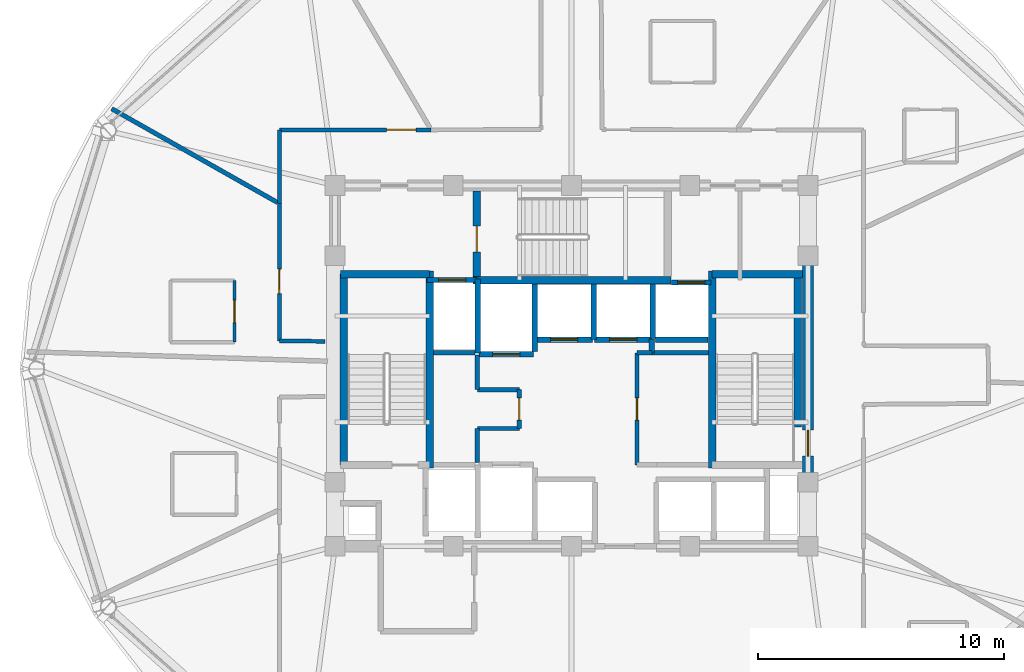
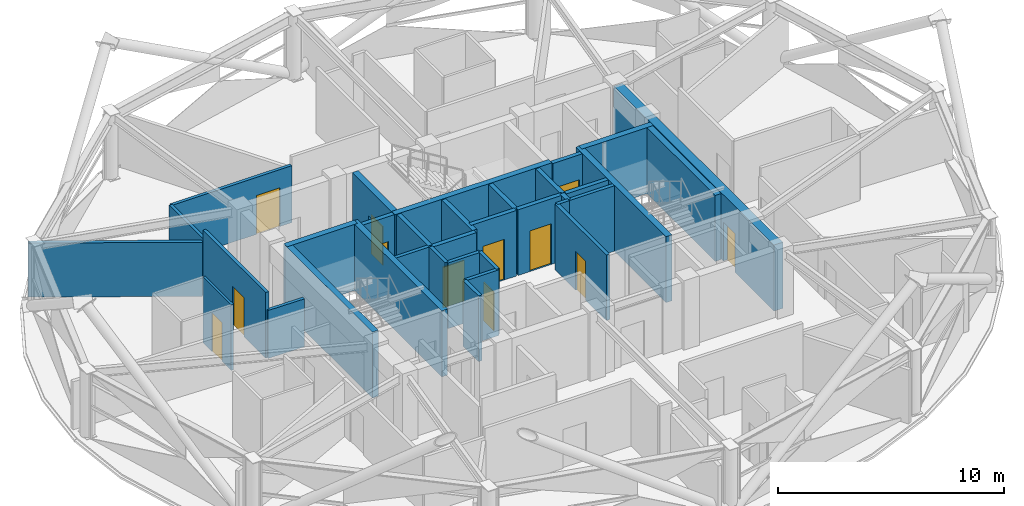
# One storey, part 23 of 29: 35 walls, 12 doors, 12 openings.
"""IFC4 building model written with IfcOpenShell, lengths in metres."""

from ifc_helpers import new_model, si_unit, direction, frame, frame_2d, origin, place, context, subcontext, project, spatial, rectangle, extrude, material, layer, layer_set, type_object, element, fill, save


model = new_model("IFC4")

# Units and contexts
model_context = context("Model", 3, precision=1e-05, world=origin(), true_north=direction((0.0, 1.0)))
body_context = subcontext(model_context, "Body", "Model", "MODEL_VIEW")
ifc_project = project(units=[si_unit("LENGTHUNIT", "METRE"), si_unit("AREAUNIT", "SQUARE_METRE"), si_unit("VOLUMEUNIT", "CUBIC_METRE"), si_unit("PLANEANGLEUNIT", "RADIAN"), si_unit("MASSUNIT", "GRAM", prefix="KILO")], contexts=[model_context])

# Site, building, storey
site_placement = place(None, origin())
site = spatial("IfcSite", under=ifc_project, at=site_placement, CompositionType="ELEMENT")
building_placement = place(site_placement, origin())
building = spatial("IfcBuilding", under=site, at=building_placement, Name="Vantalir Tower", CompositionType="ELEMENT")
storey_placement = place(building_placement, frame((0.0, 0.0, 234.89990234375)))
storey = spatial("IfcBuildingStorey", under=building, at=storey_placement, Name="L59", CompositionType="ELEMENT", Elevation=234.89990234375)

# Wall, opening, door
ifc_material_1 = material(Name="Moisture-resistant en-suite partition", Category="gypsum")
ifc_layer_1 = layer(ifc_material_1, 0.125)
ifc_layer_set_1 = layer_set([ifc_layer_1], Name="Moisture-resistant en-suite partition")
wall_type_1 = type_object("IfcWallType", Name="WL-BATH-125", PredefinedType="PARTITIONING", material=ifc_layer_set_1)
wall_1_placement = place(storey_placement, frame((17.818115234375, 26.0830078125, 0.0), z_axis=(0.0, 0.0, 1.0), x_axis=(0.0, 1.0, 0.0)))
wall_1 = element("IfcWall", 1, at=wall_1_placement, inside=storey, type_object=wall_type_1, Name="L59 En-suite 05 East Wall", PredefinedType="PARTITIONING", context=body_context, shape_type="SweptSolid", body=[
    extrude(rectangle(XDim=2.5, YDim=0.125, at=frame_2d((1.25, 0.0))), origin(), (0.0, 0.0, 1.0), 3.550048828125),
])
opening_1_placement = place(wall_1_placement, frame((0.800048828125, 0.0, 0.0)))
opening_1 = element("IfcOpeningElement", 2, at=opening_1_placement, cuts=wall_1, Name="Opening D-WC", PredefinedType="OPENING", context=body_context, shape_type="SweptSolid", body=[
    extrude(rectangle(XDim=0.89990234375, YDim=2.10009765625, at=frame_2d((0.449951171875, 1.050048828125))), frame((0.0, 0.072509765625, 0.0), z_axis=(0.0, -1.0, 0.0), x_axis=(1.0, 0.0, 0.0)), (0.0, 0.0, 1.0), 0.14501953125),
])
ifc_material_2 = material(Name="Moisture-resistant hardwood door", Category="wood")
door_type_1 = type_object("IfcDoorType", Name="DR-ENSUITE-900", OperationType="NOTDEFINED", PredefinedType="DOOR", material=ifc_material_2)
door_1_placement = place(opening_1_placement, origin())
door_1 = element("IfcDoor", 3, at=door_1_placement, inside=storey, type_object=door_type_1, Name="L59 En-suite 05 Door", OperationType="SINGLE_SWING_LEFT", OverallHeight=2.10009765625, OverallWidth=0.89990234375, PredefinedType="DOOR", context=body_context, shape_type="SweptSolid", body=[
    extrude(rectangle(XDim=0.89990234375, YDim=2.10009765625, at=frame_2d((0.449951171875, 1.050048828125))), frame((0.0, 0.02490234375, 0.0), z_axis=(0.0, -1.0, 0.0), x_axis=(1.0, 0.0, 0.0)), (0.0, 0.0, 1.0), 0.050048828125),
])
fill(opening_1, door_1)

ifc_material_3 = material(Name="Concrete C50/60", Category="concrete")
ifc_layer_2 = layer(ifc_material_3, 0.449951171875)
ifc_layer_set_2 = layer_set([ifc_layer_2], Name="Concrete C50/60")
wall_type_2 = type_object("IfcWallType", Name="WL-CORE-450", PredefinedType="SHEAR", material=ifc_layer_set_2)
wall_2_placement = place(storey_placement, frame((41.10009765625, 18.02490234375, 0.0), z_axis=(0.0, 0.0, 1.0), x_axis=(0.0, 1.0, 0.0)))
wall_2 = element("IfcWall", 4, at=wall_2_placement, inside=storey, type_object=wall_type_2, Name="L59 Core Shear Wall East", PredefinedType="SHEAR", context=body_context, shape_type="SweptSolid", body=[
    extrude(rectangle(XDim=14.2001953125, YDim=0.449951171875, at=frame_2d((7.10009765625, 0.0))), origin(), (0.0, 0.0, 1.0), 3.570068359375),
])
opening_2_placement = place(wall_2_placement, frame((3.43505859375, 0.0, 0.0)))
opening_2 = element("IfcOpeningElement", 5, at=opening_2_placement, cuts=wall_2, Name="Opening D-ST", PredefinedType="OPENING", context=body_context, shape_type="SweptSolid", body=[
    extrude(rectangle(XDim=1.050048828125, YDim=2.10009765625, at=frame_2d((0.52490234375, 1.050048828125))), frame((0.0, 0.23486328125, 0.0), z_axis=(0.0, -1.0, 0.0), x_axis=(1.0, 0.0, 0.0)), (0.0, 0.0, 1.0), 0.469970703125),
])
ifc_material_4 = material(Name="Fire-rated steel door leaf", Category="steel")
door_type_2 = type_object("IfcDoorType", Name="DR-FIRE-STAIR-1050", OperationType="NOTDEFINED", PredefinedType="DOOR", material=ifc_material_4)
door_2_placement = place(opening_2_placement, origin())
door_2 = element("IfcDoor", 6, at=door_2_placement, inside=storey, type_object=door_type_2, Name="L59 Exit Stair ST2 Fire Door", OperationType="SINGLE_SWING_LEFT", OverallHeight=2.10009765625, OverallWidth=1.050048828125, PredefinedType="DOOR", context=body_context, shape_type="SweptSolid", body=[
    extrude(rectangle(XDim=1.050048828125, YDim=2.10009765625, at=frame_2d((0.52490234375, 1.050048828125))), frame((0.0, 0.02490234375, 0.0), z_axis=(0.0, -1.0, 0.0), x_axis=(1.0, 0.0, 0.0)), (0.0, 0.0, 1.0), 0.050048828125),
])
fill(opening_2, door_2)

# Wall
ifc_material_5 = material(Name="Fire-rated hotel corridor acoustic partition", Category="gypsum")
ifc_layer_3 = layer(ifc_material_5, 0.159912109375)
ifc_layer_set_3 = layer_set([ifc_layer_3], Name="Fire-rated hotel corridor acoustic partition")
wall_type_3 = type_object("IfcWallType", Name="WL-CORR-160", PredefinedType="PARTITIONING", material=ifc_layer_set_3)
wall_3_placement = place(storey_placement, frame((21.4951171875, 26.116943359375, 0.0), z_axis=(0.0, 0.0, 1.0), x_axis=(-0.999908537082, 0.013524698532, 0.0)))
element("IfcWall", 7, at=wall_3_placement, inside=storey, type_object=wall_type_3, Name="L59 Corridor Partition 01", PredefinedType="PARTITIONING", context=body_context, shape_type="SweptSolid", body=[
    extrude(rectangle(XDim=1.859375, YDim=0.159912109375, at=frame_2d((0.9296875, 0.0))), origin(), (0.0, 0.0, 1.0), 2.59521484375),
])

# Wall, opening, door
wall_4_placement = place(storey_placement, frame((19.635986328125, 26.14208984375, 0.0), z_axis=(0.0, 0.0, 1.0), x_axis=(0.000920648448, 0.999999576203, 0.0)))
wall_4 = element("IfcWall", 8, at=wall_4_placement, inside=storey, type_object=wall_type_3, Name="L59 Corridor Partition 02", PredefinedType="PARTITIONING", context=body_context, shape_type="SweptSolid", body=[
    extrude(rectangle(XDim=5.56884765625, YDim=0.159912109375, at=frame_2d((2.784423828125, 0.0))), origin(), (0.0, 0.0, 1.0), 3.550048828125),
])
opening_3_placement = place(wall_4_placement, frame((1.91796875, 0.0, 0.0)))
opening_3 = element("IfcOpeningElement", 9, at=opening_3_placement, cuts=wall_4, Name="Opening D-GUEST", PredefinedType="OPENING", context=body_context, shape_type="SweptSolid", body=[
    extrude(rectangle(XDim=1.0, YDim=2.10009765625, at=frame_2d((0.5, 1.050048828125))), frame((0.0, 0.08984375, 0.0), z_axis=(0.0, -1.0, 0.0), x_axis=(1.0, 0.0, 0.0)), (0.0, 0.0, 1.0), 0.179931640625),
])
ifc_material_6 = material(Name="Solid-core teak veneer acoustic fire door", Category="wood")
door_type_3 = type_object("IfcDoorType", Name="DR-GUEST-ENTRY-1000", OperationType="NOTDEFINED", PredefinedType="DOOR", material=ifc_material_6)
door_3_placement = place(opening_3_placement, origin())
door_3 = element("IfcDoor", 10, at=door_3_placement, inside=storey, type_object=door_type_3, Name="L59 Twin Queen Hotel Room 05 Door", OperationType="SINGLE_SWING_LEFT", OverallHeight=2.10009765625, OverallWidth=1.0, PredefinedType="DOOR", context=body_context, shape_type="SweptSolid", body=[
    extrude(rectangle(XDim=1.0, YDim=2.10009765625, at=frame_2d((0.5, 1.050048828125))), frame((0.0, 0.02490234375, 0.0), z_axis=(0.0, -1.0, 0.0), x_axis=(1.0, 0.0, 0.0)), (0.0, 0.0, 1.0), 0.050048828125),
])
fill(opening_3, door_3)

# Wall
wall_5_placement = place(storey_placement, frame((19.64111328125, 31.7109375, 0.0), z_axis=(0.0, 0.0, 1.0), x_axis=(0.000980151453, 0.999999519651, 0.0)))
element("IfcWall", 11, at=wall_5_placement, inside=storey, type_object=wall_type_3, Name="L59 Corridor Partition 03", PredefinedType="PARTITIONING", context=body_context, shape_type="SweptSolid", body=[
    extrude(rectangle(XDim=2.989013671875, YDim=0.159912109375, at=frame_2d((1.49462890625, 0.0))), origin(), (0.0, 0.0, 1.0), 3.0810546875),
])

# Wall, opening, door
wall_6_placement = place(storey_placement, frame((19.64404296875, 34.699951171875, 0.0), z_axis=(0.0, 0.0, 1.0), x_axis=(0.999998923057, 0.001467611763, 0.0)))
wall_6 = element("IfcWall", 12, at=wall_6_placement, inside=storey, type_object=wall_type_3, Name="L59 Corridor Partition 04", PredefinedType="PARTITIONING", context=body_context, shape_type="SweptSolid", body=[
    extrude(rectangle(XDim=6.155029296875, YDim=0.159912109375, at=frame_2d((3.07763671875, 0.0))), origin(), (0.0, 0.0, 1.0), 3.0810546875),
])
opening_4_placement = place(wall_6_placement, frame((4.345947265625, 0.0, 0.0)))
opening_4 = element("IfcOpeningElement", 13, at=opening_4_placement, cuts=wall_6, Name="Opening D-STE", PredefinedType="OPENING", context=body_context, shape_type="SweptSolid", body=[
    extrude(rectangle(XDim=1.199951171875, YDim=2.10009765625, at=frame_2d((0.60009765625, 1.050048828125))), frame((0.0, 0.08984375, 0.0), z_axis=(0.0, -1.0, 0.0), x_axis=(1.0, 0.0, 0.0)), (0.0, 0.0, 1.0), 0.179931640625),
])
ifc_material_7 = material(Name="Solid-core teak veneer suite entrance door", Category="wood")
door_type_4 = type_object("IfcDoorType", Name="DR-SUITE-ENTRY-1200", OperationType="NOTDEFINED", PredefinedType="DOOR", material=ifc_material_7)
door_4_placement = place(opening_4_placement, origin())
door_4 = element("IfcDoor", 14, at=door_4_placement, inside=storey, type_object=door_type_4, Name="L59 Executive Sky Boardroom 04 Door", OperationType="SINGLE_SWING_RIGHT", OverallHeight=2.10009765625, OverallWidth=1.199951171875, PredefinedType="DOOR", context=body_context, shape_type="SweptSolid", body=[
    extrude(rectangle(XDim=1.199951171875, YDim=2.10009765625, at=frame_2d((0.60009765625, 1.050048828125))), frame((0.0, 0.02490234375, 0.0), z_axis=(0.0, -1.0, 0.0), x_axis=(1.0, 0.0, 0.0)), (0.0, 0.0, 1.0), 0.050048828125),
])
fill(opening_4, door_4)

# Walls
ifc_material_8 = material(Name="Concrete blockwork with fireboard lining", Category="masonry")
ifc_layer_4 = layer(ifc_material_8, 0.219970703125)
ifc_layer_set_4 = layer_set([ifc_layer_4], Name="Concrete blockwork with fireboard lining")
wall_type_4 = type_object("IfcWallType", Name="WL-FFL-220", PredefinedType="PARTITIONING", material=ifc_layer_set_4)
wall_7_placement = place(storey_placement, frame((30.0, 25.7099609375, 0.0), z_axis=(0.0, 0.0, 1.0), x_axis=(0.0, 1.0, 0.0)))
element("IfcWall", 15, at=wall_7_placement, inside=storey, type_object=wall_type_4, Name="L59 Service Lift SV2 East Shaft Wall", PredefinedType="PARTITIONING", context=body_context, shape_type="SweptSolid", body=[
    extrude(rectangle(XDim=2.72998046875, YDim=0.219970703125, at=frame_2d((1.364990234375, 0.0))), origin(), (0.0, 0.0, 1.0), 3.545166015625),
])
wall_8_placement = place(storey_placement, frame((32.39990234375, 26.199951171875, 0.0), z_axis=(0.0, 0.0, 1.0), x_axis=(0.0, 1.0, 0.0)))
element("IfcWall", 16, at=wall_8_placement, inside=storey, type_object=wall_type_4, Name="L59 High-Rise Lift PL-H1/H2 Shaft Divider", PredefinedType="PARTITIONING", context=body_context, shape_type="SweptSolid", body=[
    extrude(rectangle(XDim=2.239990234375, YDim=0.219970703125, at=frame_2d((1.1201171875, 0.0))), origin(), (0.0, 0.0, 1.0), 3.545166015625),
])
wall_9_placement = place(storey_placement, frame((34.800048828125, 26.22998046875, 0.0), z_axis=(0.0, 0.0, 1.0), x_axis=(0.0, 1.0, 0.0)))
element("IfcWall", 17, at=wall_9_placement, inside=storey, type_object=wall_type_4, Name="L59 High-Rise Lift PL-H2/H3 Shaft Divider", PredefinedType="PARTITIONING", context=body_context, shape_type="SweptSolid", body=[
    extrude(rectangle(XDim=2.2099609375, YDim=0.219970703125, at=frame_2d((1.10498046875, 0.0))), origin(), (0.0, 0.0, 1.0), 3.545166015625),
])
wall_10_placement = place(storey_placement, frame((34.909912109375, 26.18994140625, 0.0), z_axis=(0.0, 0.0, 1.0), x_axis=(1.0, 0.0, 0.0)))
element("IfcWall", 18, at=wall_10_placement, inside=storey, type_object=wall_type_4, Name="L59 High-Rise Lift PL-H3 Rear Shaft Wall", PredefinedType="PARTITIONING", context=body_context, shape_type="SweptSolid", body=[
    extrude(rectangle(XDim=2.14013671875, YDim=0.219970703125, at=frame_2d((1.070068359375, 0.0))), origin(), (0.0, 0.0, 1.0), 3.545166015625),
])

# Wall, opening, door
wall_11_placement = place(storey_placement, frame((25.639892578125, 28.610107421875, 0.0), z_axis=(0.0, 0.0, 1.0), x_axis=(1.0, 0.0, 0.0)))
wall_11 = element("IfcWall", 19, at=wall_11_placement, inside=storey, type_object=wall_type_4, Name="L59 Lift FL2 Shaft Front Wall", PredefinedType="PARTITIONING", context=body_context, shape_type="SweptSolid", body=[
    extrude(rectangle(XDim=2.02001953125, YDim=0.219970703125, at=frame_2d((1.010009765625, 0.0))), origin(), (0.0, 0.0, 1.0), 3.550048828125),
])
opening_5_placement = place(wall_11_placement, frame((0.4599609375, 0.0, 0.0)))
opening_5 = element("IfcOpeningElement", 20, at=opening_5_placement, cuts=wall_11, Name="Opening LD-FL2", PredefinedType="OPENING", context=body_context, shape_type="SweptSolid", body=[
    extrude(rectangle(XDim=1.10009765625, YDim=2.199951171875, at=frame_2d((0.550048828125, 1.10009765625))), frame((0.0, 0.119873046875, 0.0), z_axis=(0.0, -1.0, 0.0), x_axis=(1.0, 0.0, 0.0)), (0.0, 0.0, 1.0), 0.239990234375),
])
ifc_material_9 = material(Name="Brushed stainless-steel sliding lift landing door", Category="steel")
door_type_5 = type_object("IfcDoorType", Name="DR-LIFT-LANDING-1100", OperationType="DOUBLE_DOOR_SLIDING", PredefinedType="DOOR", material=ifc_material_9)
door_5_placement = place(opening_5_placement, origin())
door_5 = element("IfcDoor", 21, at=door_5_placement, inside=storey, type_object=door_type_5, Name="L59 Lift Landing Door FL2", OperationType="DOUBLE_DOOR_SLIDING", OverallHeight=2.199951171875, OverallWidth=1.10009765625, PredefinedType="DOOR", context=body_context, shape_type="SweptSolid", body=[
    extrude(rectangle(XDim=1.10009765625, YDim=2.199951171875, at=frame_2d((0.550048828125, 1.10009765625))), frame((0.0, 0.02490234375, 0.0), z_axis=(0.0, -1.0, 0.0), x_axis=(1.0, 0.0, 0.0)), (0.0, 0.0, 1.0), 0.050048828125),
])
fill(opening_5, door_5)

wall_12_placement = place(storey_placement, frame((27.739990234375, 25.590087890625, 0.0), z_axis=(0.0, 0.0, 1.0), x_axis=(1.0, 0.0, 0.0)))
wall_12 = element("IfcWall", 22, at=wall_12_placement, inside=storey, type_object=wall_type_4, Name="L59 Lift SV2 Shaft Front Wall", PredefinedType="PARTITIONING", context=body_context, shape_type="SweptSolid", body=[
    extrude(rectangle(XDim=2.219970703125, YDim=0.219970703125, at=frame_2d((1.10986328125, 0.0))), origin(), (0.0, 0.0, 1.0), 3.550048828125),
])
opening_6_placement = place(wall_12_placement, frame((0.56005859375, 0.0, 0.0)))
opening_6 = element("IfcOpeningElement", 23, at=opening_6_placement, cuts=wall_12, Name="Opening LD-SV2", PredefinedType="OPENING", context=body_context, shape_type="SweptSolid", body=[
    extrude(rectangle(XDim=1.10009765625, YDim=2.199951171875, at=frame_2d((0.550048828125, 1.10009765625))), frame((0.0, 0.119873046875, 0.0), z_axis=(0.0, -1.0, 0.0), x_axis=(1.0, 0.0, 0.0)), (0.0, 0.0, 1.0), 0.239990234375),
])
door_6_placement = place(opening_6_placement, frame((1.10009765625, 0.0, 0.0), z_axis=(0.0, 0.0, 1.0), x_axis=(-1.0, 0.0, 0.0)))
door_6 = element("IfcDoor", 24, at=door_6_placement, inside=storey, type_object=door_type_5, Name="L59 Lift Landing Door SV2", OperationType="DOUBLE_DOOR_SLIDING", OverallHeight=2.199951171875, OverallWidth=1.10009765625, PredefinedType="DOOR", context=body_context, shape_type="SweptSolid", body=[
    extrude(rectangle(XDim=1.10009765625, YDim=2.199951171875, at=frame_2d((0.550048828125, 1.10009765625))), frame((0.0, 0.02490234375, 0.0), z_axis=(0.0, -1.0, 0.0), x_axis=(1.0, 0.0, 0.0)), (0.0, 0.0, 1.0), 0.050048828125),
])
fill(opening_6, door_6)

wall_13_placement = place(storey_placement, frame((30.0400390625, 26.18994140625, 0.0), z_axis=(0.0, 0.0, 1.0), x_axis=(1.0, 0.0, 0.0)))
wall_13 = element("IfcWall", 25, at=wall_13_placement, inside=storey, type_object=wall_type_4, Name="L59 Lift PL-H1 Shaft Front Wall", PredefinedType="PARTITIONING", context=body_context, shape_type="SweptSolid", body=[
    extrude(rectangle(XDim=2.320068359375, YDim=0.219970703125, at=frame_2d((1.16015625, 0.0))), origin(), (0.0, 0.0, 1.0), 3.550048828125),
])
opening_7_placement = place(wall_13_placement, frame((0.610107421875, 0.0, 0.0)))
opening_7 = element("IfcOpeningElement", 26, at=opening_7_placement, cuts=wall_13, Name="Opening LD-PL-H1", PredefinedType="OPENING", context=body_context, shape_type="SweptSolid", body=[
    extrude(rectangle(XDim=1.10009765625, YDim=2.199951171875, at=frame_2d((0.550048828125, 1.10009765625))), frame((0.0, 0.119873046875, 0.0), z_axis=(0.0, -1.0, 0.0), x_axis=(1.0, 0.0, 0.0)), (0.0, 0.0, 1.0), 0.239990234375),
])
door_7_placement = place(opening_7_placement, frame((1.10009765625, 0.0, 0.0), z_axis=(0.0, 0.0, 1.0), x_axis=(-1.0, 0.0, 0.0)))
door_7 = element("IfcDoor", 27, at=door_7_placement, inside=storey, type_object=door_type_5, Name="L59 Lift Landing Door PL-H1", OperationType="DOUBLE_DOOR_SLIDING", OverallHeight=2.199951171875, OverallWidth=1.10009765625, PredefinedType="DOOR", context=body_context, shape_type="SweptSolid", body=[
    extrude(rectangle(XDim=1.10009765625, YDim=2.199951171875, at=frame_2d((0.550048828125, 1.10009765625))), frame((0.0, 0.02490234375, 0.0), z_axis=(0.0, -1.0, 0.0), x_axis=(1.0, 0.0, 0.0)), (0.0, 0.0, 1.0), 0.050048828125),
])
fill(opening_7, door_7)

wall_14_placement = place(storey_placement, frame((32.43994140625, 26.18994140625, 0.0), z_axis=(0.0, 0.0, 1.0), x_axis=(1.0, 0.0, 0.0)))
wall_14 = element("IfcWall", 28, at=wall_14_placement, inside=storey, type_object=wall_type_4, Name="L59 Lift PL-H2 Shaft Front Wall", PredefinedType="PARTITIONING", context=body_context, shape_type="SweptSolid", body=[
    extrude(rectangle(XDim=2.320068359375, YDim=0.219970703125, at=frame_2d((1.16015625, 0.0))), origin(), (0.0, 0.0, 1.0), 3.550048828125),
])
opening_8_placement = place(wall_14_placement, frame((0.610107421875, 0.0, 0.0)))
opening_8 = element("IfcOpeningElement", 29, at=opening_8_placement, cuts=wall_14, Name="Opening LD-PL-H2", PredefinedType="OPENING", context=body_context, shape_type="SweptSolid", body=[
    extrude(rectangle(XDim=1.10009765625, YDim=2.199951171875, at=frame_2d((0.550048828125, 1.10009765625))), frame((0.0, 0.119873046875, 0.0), z_axis=(0.0, -1.0, 0.0), x_axis=(1.0, 0.0, 0.0)), (0.0, 0.0, 1.0), 0.239990234375),
])
door_8_placement = place(opening_8_placement, frame((1.10009765625, 0.0, 0.0), z_axis=(0.0, 0.0, 1.0), x_axis=(-1.0, 0.0, 0.0)))
door_8 = element("IfcDoor", 30, at=door_8_placement, inside=storey, type_object=door_type_5, Name="L59 Lift Landing Door PL-H2", OperationType="DOUBLE_DOOR_SLIDING", OverallHeight=2.199951171875, OverallWidth=1.10009765625, PredefinedType="DOOR", context=body_context, shape_type="SweptSolid", body=[
    extrude(rectangle(XDim=1.10009765625, YDim=2.199951171875, at=frame_2d((0.550048828125, 1.10009765625))), frame((0.0, 0.02490234375, 0.0), z_axis=(0.0, -1.0, 0.0), x_axis=(1.0, 0.0, 0.0)), (0.0, 0.0, 1.0), 0.050048828125),
])
fill(opening_8, door_8)

wall_15_placement = place(storey_placement, frame((35.56005859375, 28.510009765625, 0.0), z_axis=(0.0, 0.0, 1.0), x_axis=(1.0, 0.0, 0.0)))
wall_15 = element("IfcWall", 31, at=wall_15_placement, inside=storey, type_object=wall_type_4, Name="L59 Lift PL-H3 Shaft Front Wall", PredefinedType="PARTITIONING", context=body_context, shape_type="SweptSolid", body=[
    extrude(rectangle(XDim=1.599853515625, YDim=0.219970703125, at=frame_2d((0.7998046875, 0.0))), origin(), (0.0, 0.0, 1.0), 3.550048828125),
])
opening_9_placement = place(wall_15_placement, frame((0.25, 0.0, 0.0)))
opening_9 = element("IfcOpeningElement", 32, at=opening_9_placement, cuts=wall_15, Name="Opening LD-PL-H3", PredefinedType="OPENING", context=body_context, shape_type="SweptSolid", body=[
    extrude(rectangle(XDim=1.10009765625, YDim=2.199951171875, at=frame_2d((0.550048828125, 1.10009765625))), frame((0.0, 0.119873046875, 0.0), z_axis=(0.0, -1.0, 0.0), x_axis=(1.0, 0.0, 0.0)), (0.0, 0.0, 1.0), 0.239990234375),
])
door_9_placement = place(opening_9_placement, origin())
door_9 = element("IfcDoor", 33, at=door_9_placement, inside=storey, type_object=door_type_5, Name="L59 Lift Landing Door PL-H3", OperationType="DOUBLE_DOOR_SLIDING", OverallHeight=2.199951171875, OverallWidth=1.10009765625, PredefinedType="DOOR", context=body_context, shape_type="SweptSolid", body=[
    extrude(rectangle(XDim=1.10009765625, YDim=2.199951171875, at=frame_2d((0.550048828125, 1.10009765625))), frame((0.0, 0.02490234375, 0.0), z_axis=(0.0, -1.0, 0.0), x_axis=(1.0, 0.0, 0.0)), (0.0, 0.0, 1.0), 0.050048828125),
])
fill(opening_9, door_9)

# Walls
wall_16_placement = place(storey_placement, frame((27.699951171875, 25.64990234375, 0.0), z_axis=(0.0, 0.0, 1.0), x_axis=(0.0, 1.0, 0.0)))
element("IfcWall", 34, at=wall_16_placement, inside=storey, type_object=wall_type_4, Name="L59 Fire Lift FL2 Dividing Wall", PredefinedType="PARTITIONING", context=body_context, shape_type="SweptSolid", body=[
    extrude(rectangle(XDim=3.0, YDim=0.219970703125, at=frame_2d((1.5, 0.0))), origin(), (0.0, 0.0, 1.0), 3.550048828125),
])
wall_17_placement = place(storey_placement, frame((34.760009765625, 25.64990234375, 0.0), z_axis=(0.0, 0.0, 1.0), x_axis=(0.0, 1.0, 0.0)))
element("IfcWall", 35, at=wall_17_placement, inside=storey, type_object=wall_type_4, Name="L59 High-Rise Shaft Shoulder Wall", PredefinedType="PARTITIONING", context=body_context, shape_type="SweptSolid", body=[
    extrude(rectangle(XDim=0.570068359375, YDim=0.219970703125, at=frame_2d((0.28515625, 0.0))), origin(), (0.0, 0.0, 1.0), 3.550048828125),
])
ifc_material_10 = material(Name="Twin-stud acoustic fire-rated gypsum partition", Category="gypsum")
ifc_layer_5 = layer(ifc_material_10, 0.179931640625)
ifc_layer_set_5 = layer_set([ifc_layer_5], Name="Twin-stud acoustic fire-rated gypsum partition")
wall_type_5 = type_object("IfcWallType", Name="WL-GUEST-180", PredefinedType="PARTITIONING", material=ifc_layer_set_5)
wall_18_placement = place(storey_placement, frame((25.889892578125, 25.64990234375, 0.0), z_axis=(0.0, 0.0, 1.0), x_axis=(1.0, 0.0, 0.0)))
element("IfcWall", 36, at=wall_18_placement, inside=storey, type_object=wall_type_5, Name="L59 Freed West Core North Wall", PredefinedType="PARTITIONING", context=body_context, shape_type="SweptSolid", body=[
    extrude(rectangle(XDim=1.7001953125, YDim=0.179931640625, at=frame_2d((0.85009765625, 0.0))), origin(), (0.0, 0.0, 1.0), 3.550048828125),
])
wall_19_placement = place(storey_placement, frame((27.679931640625, 21.18994140625, 0.0), z_axis=(0.0, 0.0, 1.0), x_axis=(0.0, 1.0, 0.0)))
element("IfcWall", 37, at=wall_19_placement, inside=storey, type_object=wall_type_5, Name="L59 West IT Room Lower East Wall", PredefinedType="PARTITIONING", context=body_context, shape_type="SweptSolid", body=[
    extrude(rectangle(XDim=1.39013671875, YDim=0.179931640625, at=frame_2d((0.695068359375, 0.0))), origin(), (0.0, 0.0, 1.0), 3.550048828125),
])
wall_20_placement = place(storey_placement, frame((27.679931640625, 22.580078125, 0.0), z_axis=(0.0, 0.0, 1.0), x_axis=(1.0, 0.0, 0.0)))
element("IfcWall", 38, at=wall_20_placement, inside=storey, type_object=wall_type_5, Name="L59 West IT Room Alcove South Wall", PredefinedType="PARTITIONING", context=body_context, shape_type="SweptSolid", body=[
    extrude(rectangle(XDim=1.699951171875, YDim=0.179931640625, at=frame_2d((0.85009765625, 0.0))), origin(), (0.0, 0.0, 1.0), 3.550048828125),
])

# Wall, opening, door
wall_21_placement = place(storey_placement, frame((29.3798828125, 22.580078125, 0.0), z_axis=(0.0, 0.0, 1.0), x_axis=(0.0, 1.0, 0.0)))
wall_21 = element("IfcWall", 39, at=wall_21_placement, inside=storey, type_object=wall_type_5, Name="L59 West IT Room Alcove East Wall", PredefinedType="PARTITIONING", context=body_context, shape_type="SweptSolid", body=[
    extrude(rectangle(XDim=1.579833984375, YDim=0.179931640625, at=frame_2d((0.7900390625, 0.0))), origin(), (0.0, 0.0, 1.0), 3.550048828125),
])
opening_10_placement = place(wall_21_placement, frame((0.340087890625, 0.0, 0.0)))
opening_10 = element("IfcOpeningElement", 40, at=opening_10_placement, cuts=wall_21, Name="Opening D-CR", PredefinedType="OPENING", context=body_context, shape_type="SweptSolid", body=[
    extrude(rectangle(XDim=0.89990234375, YDim=2.10009765625, at=frame_2d((0.449951171875, 1.050048828125))), frame((0.0, 0.099853515625, 0.0), z_axis=(0.0, -1.0, 0.0), x_axis=(1.0, 0.0, 0.0)), (0.0, 0.0, 1.0), 0.199951171875),
])
ifc_material_11 = material(Name="Fire-rated steel core service door", Category="steel")
door_type_6 = type_object("IfcDoorType", Name="DR-CORE-SERV-900", OperationType="NOTDEFINED", PredefinedType="DOOR", material=ifc_material_11)
door_10_placement = place(opening_10_placement, origin())
door_10 = element("IfcDoor", 41, at=door_10_placement, inside=storey, type_object=door_type_6, Name="L59 Core IT Comms Door", OperationType="SINGLE_SWING_RIGHT", OverallHeight=2.10009765625, OverallWidth=0.89990234375, PredefinedType="DOOR", context=body_context, shape_type="SweptSolid", body=[
    extrude(rectangle(XDim=0.89990234375, YDim=2.10009765625, at=frame_2d((0.449951171875, 1.050048828125))), frame((0.0, 0.02490234375, 0.0), z_axis=(0.0, -1.0, 0.0), x_axis=(1.0, 0.0, 0.0)), (0.0, 0.0, 1.0), 0.050048828125),
])
fill(opening_10, door_10)

# Walls
wall_22_placement = place(storey_placement, frame((27.679931640625, 24.159912109375, 0.0), z_axis=(0.0, 0.0, 1.0), x_axis=(1.0, 0.0, 0.0)))
element("IfcWall", 42, at=wall_22_placement, inside=storey, type_object=wall_type_5, Name="L59 West IT Room Alcove North Wall", PredefinedType="PARTITIONING", context=body_context, shape_type="SweptSolid", body=[
    extrude(rectangle(XDim=1.699951171875, YDim=0.179931640625, at=frame_2d((0.85009765625, 0.0))), origin(), (0.0, 0.0, 1.0), 3.550048828125),
])
wall_23_placement = place(storey_placement, frame((27.679931640625, 24.159912109375, 0.0), z_axis=(0.0, 0.0, 1.0), x_axis=(0.0, 1.0, 0.0)))
element("IfcWall", 43, at=wall_23_placement, inside=storey, type_object=wall_type_5, Name="L59 West IT Room Upper East Wall", PredefinedType="PARTITIONING", context=body_context, shape_type="SweptSolid", body=[
    extrude(rectangle(XDim=1.400146484375, YDim=0.179931640625, at=frame_2d((0.7001953125, 0.0))), origin(), (0.0, 0.0, 1.0), 3.550048828125),
])
wall_24_placement = place(storey_placement, frame((34.719970703125, 25.64990234375, 0.0), z_axis=(0.0, 0.0, 1.0), x_axis=(1.0, 0.0, 0.0)))
element("IfcWall", 44, at=wall_24_placement, inside=storey, type_object=wall_type_5, Name="L59 Freed East Core North Wall", PredefinedType="PARTITIONING", context=body_context, shape_type="SweptSolid", body=[
    extrude(rectangle(XDim=2.340087890625, YDim=0.179931640625, at=frame_2d((1.169921875, 0.0))), origin(), (0.0, 0.0, 1.0), 3.550048828125),
])
wall_25_placement = place(storey_placement, frame((34.159912109375, 25.64990234375, 0.0), z_axis=(0.0, 0.0, 1.0), x_axis=(1.0, 0.0, 0.0)))
element("IfcWall", 45, at=wall_25_placement, inside=storey, type_object=wall_type_5, Name="L59 East IT Room North Return", PredefinedType="PARTITIONING", context=body_context, shape_type="SweptSolid", body=[
    extrude(rectangle(XDim=0.60009765625, YDim=0.179931640625, at=frame_2d((0.300048828125, 0.0))), origin(), (0.0, 0.0, 1.0), 3.550048828125),
])

# Wall, opening, door
wall_26_placement = place(storey_placement, frame((34.159912109375, 21.10009765625, 0.0), z_axis=(0.0, 0.0, 1.0), x_axis=(0.0, 1.0, 0.0)))
wall_26 = element("IfcWall", 46, at=wall_26_placement, inside=storey, type_object=wall_type_5, Name="L59 East IT Room West Wall", PredefinedType="PARTITIONING", context=body_context, shape_type="SweptSolid", body=[
    extrude(rectangle(XDim=4.5498046875, YDim=0.179931640625, at=frame_2d((2.27490234375, 0.0))), origin(), (0.0, 0.0, 1.0), 3.550048828125),
])
opening_11_placement = place(wall_26_placement, frame((1.824951171875, 0.0, 0.0)))
opening_11 = element("IfcOpeningElement", 47, at=opening_11_placement, cuts=wall_26, Name="Opening D-CR", PredefinedType="OPENING", context=body_context, shape_type="SweptSolid", body=[
    extrude(rectangle(XDim=0.89990234375, YDim=2.10009765625, at=frame_2d((0.449951171875, 1.050048828125))), frame((0.0, 0.099853515625, 0.0), z_axis=(0.0, -1.0, 0.0), x_axis=(1.0, 0.0, 0.0)), (0.0, 0.0, 1.0), 0.199951171875),
])
door_11_placement = place(opening_11_placement, frame((0.89990234375, 0.0, 0.0), z_axis=(0.0, 0.0, 1.0), x_axis=(-1.0, 0.0, 0.0)))
door_11 = element("IfcDoor", 48, at=door_11_placement, inside=storey, type_object=door_type_6, Name="L59 Core Data Switchroom Door", OperationType="SINGLE_SWING_RIGHT", OverallHeight=2.10009765625, OverallWidth=0.89990234375, PredefinedType="DOOR", context=body_context, shape_type="SweptSolid", body=[
    extrude(rectangle(XDim=0.89990234375, YDim=2.10009765625, at=frame_2d((0.449951171875, 1.050048828125))), frame((0.0, 0.02490234375, 0.0), z_axis=(0.0, -1.0, 0.0), x_axis=(1.0, 0.0, 0.0)), (0.0, 0.0, 1.0), 0.050048828125),
])
fill(opening_11, door_11)

# Walls
wall_27_placement = place(storey_placement, frame((19.56005859375, 31.757080078125, 0.0), z_axis=(0.0, 0.0, 1.0), x_axis=(-0.870312783113, 0.492499400559, 0.0)))
element("IfcWall", 49, at=wall_27_placement, inside=storey, type_object=wall_type_5, Name="L59 Radial Suite Partition 05", PredefinedType="PARTITIONING", context=body_context, shape_type="SweptSolid", body=[
    extrude(rectangle(XDim=7.731689453125, YDim=0.179931640625, at=frame_2d((3.86572265625, 0.0))), origin(), (0.0, 0.0, 1.0), 2.925048828125),
])
ifc_layer_6 = layer(ifc_material_3, 0.300048828125)
ifc_layer_set_6 = layer_set([ifc_layer_6], Name="Concrete C50/60")
wall_type_6 = type_object("IfcWallType", Name="WL-STAIR-300", PredefinedType="SHEAR", material=ifc_layer_set_6)
wall_28_placement = place(storey_placement, frame((22.125, 28.85009765625, 0.0), z_axis=(0.0, 0.0, 1.0), x_axis=(1.0, 0.0, 0.0)))
element("IfcWall", 50, at=wall_28_placement, inside=storey, type_object=wall_type_6, Name="L59 Stair ST1 North Wall", PredefinedType="SHEAR", context=body_context, shape_type="SweptSolid", body=[
    extrude(rectangle(XDim=3.614990234375, YDim=0.300048828125, at=frame_2d((1.8076171875, 0.0))), origin(), (0.0, 0.0, 1.0), 3.570068359375),
])
wall_29_placement = place(storey_placement, frame((25.739990234375, 20.97998046875, 0.0), z_axis=(0.0, 0.0, 1.0), x_axis=(0.0, 1.0, 0.0)))
element("IfcWall", 51, at=wall_29_placement, inside=storey, type_object=wall_type_6, Name="L59 Stair ST1 East Wall", PredefinedType="SHEAR", context=body_context, shape_type="SweptSolid", body=[
    extrude(rectangle(XDim=7.989990234375, YDim=0.300048828125, at=frame_2d((3.9951171875, 0.0))), origin(), (0.0, 0.0, 1.0), 3.570068359375),
])
wall_30_placement = place(storey_placement, frame((22.260009765625, 21.10009765625, 0.0), z_axis=(0.0, 0.0, 1.0), x_axis=(0.0, 1.0, 0.0)))
element("IfcWall", 52, at=wall_30_placement, inside=storey, type_object=wall_type_6, Name="L59 Stair ST1 West Liner Wall", PredefinedType="SHEAR", context=body_context, shape_type="SweptSolid", body=[
    extrude(rectangle(XDim=7.75, YDim=0.300048828125, at=frame_2d((3.875, 0.0))), origin(), (0.0, 0.0, 1.0), 3.570068359375),
])
wall_31_placement = place(storey_placement, frame((37.2099609375, 28.85009765625, 0.0), z_axis=(0.0, 0.0, 1.0), x_axis=(1.0, 0.0, 0.0)))
element("IfcWall", 53, at=wall_31_placement, inside=storey, type_object=wall_type_6, Name="L59 Stair ST2 North Wall", PredefinedType="SHEAR", context=body_context, shape_type="SweptSolid", body=[
    extrude(rectangle(XDim=3.6650390625, YDim=0.300048828125, at=frame_2d((1.83251953125, 0.0))), origin(), (0.0, 0.0, 1.0), 3.570068359375),
])
wall_32_placement = place(storey_placement, frame((37.2099609375, 20.97998046875, 0.0), z_axis=(0.0, 0.0, 1.0), x_axis=(0.0, 1.0, 0.0)))
element("IfcWall", 54, at=wall_32_placement, inside=storey, type_object=wall_type_6, Name="L59 Stair ST2 West Wall", PredefinedType="SHEAR", context=body_context, shape_type="SweptSolid", body=[
    extrude(rectangle(XDim=7.989990234375, YDim=0.300048828125, at=frame_2d((3.9951171875, 0.0))), origin(), (0.0, 0.0, 1.0), 3.570068359375),
])
wall_33_placement = place(storey_placement, frame((40.68994140625, 22.64990234375, 0.0), z_axis=(0.0, 0.0, 1.0), x_axis=(0.0, 1.0, 0.0)))
element("IfcWall", 55, at=wall_33_placement, inside=storey, type_object=wall_type_6, Name="L59 Stair ST2 East Liner Wall", PredefinedType="SHEAR", context=body_context, shape_type="SweptSolid", body=[
    extrude(rectangle(XDim=6.2001953125, YDim=0.300048828125, at=frame_2d((3.10009765625, 0.0))), origin(), (0.0, 0.0, 1.0), 3.570068359375),
])
wall_34_placement = place(storey_placement, frame((27.510009765625, 28.60009765625, 0.0), z_axis=(0.0, 0.0, 1.0), x_axis=(1.0, 0.0, 0.0)))
element("IfcWall", 56, at=wall_34_placement, inside=storey, type_object=wall_type_6, Name="L59 Stair ST3 South Wall", PredefinedType="SHEAR", context=body_context, shape_type="SweptSolid", body=[
    extrude(rectangle(XDim=8.030029296875, YDim=0.300048828125, at=frame_2d((4.01513671875, 0.0))), origin(), (0.0, 0.0, 1.0), 3.570068359375),
])

# Wall, opening, door
wall_35_placement = place(storey_placement, frame((27.64990234375, 28.75, 0.0), z_axis=(0.0, 0.0, 1.0), x_axis=(0.0, 1.0, 0.0)))
wall_35 = element("IfcWall", 57, at=wall_35_placement, inside=storey, type_object=wall_type_6, Name="L59 Stair ST3 West Wall", PredefinedType="SHEAR", context=body_context, shape_type="SweptSolid", body=[
    extrude(rectangle(XDim=3.47509765625, YDim=0.300048828125, at=frame_2d((1.737548828125, 0.0))), origin(), (0.0, 0.0, 1.0), 3.570068359375),
])
opening_12_placement = place(wall_35_placement, frame((1.0, 0.0, 0.0)))
opening_12 = element("IfcOpeningElement", 58, at=opening_12_placement, cuts=wall_35, Name="Opening D-ST", PredefinedType="OPENING", context=body_context, shape_type="SweptSolid", body=[
    extrude(rectangle(XDim=1.050048828125, YDim=2.10009765625, at=frame_2d((0.52490234375, 1.050048828125))), frame((0.0, 0.159912109375, 0.0), z_axis=(0.0, -1.0, 0.0), x_axis=(1.0, 0.0, 0.0)), (0.0, 0.0, 1.0), 0.320068359375),
])
door_12_placement = place(opening_12_placement, frame((1.050048828125, 0.0, 0.0), z_axis=(0.0, 0.0, 1.0), x_axis=(-1.0, 0.0, 0.0)))
door_12 = element("IfcDoor", 59, at=door_12_placement, inside=storey, type_object=door_type_2, Name="L59 Exit Stair ST3 Fire Door", OperationType="SINGLE_SWING_RIGHT", OverallHeight=2.10009765625, OverallWidth=1.050048828125, PredefinedType="DOOR", context=body_context, shape_type="SweptSolid", body=[
    extrude(rectangle(XDim=1.050048828125, YDim=2.10009765625, at=frame_2d((0.52490234375, 1.050048828125))), frame((0.0, 0.02490234375, 0.0), z_axis=(0.0, -1.0, 0.0), x_axis=(1.0, 0.0, 0.0)), (0.0, 0.0, 1.0), 0.050048828125),
])
fill(opening_12, door_12)

save(model, "model.ifc")
